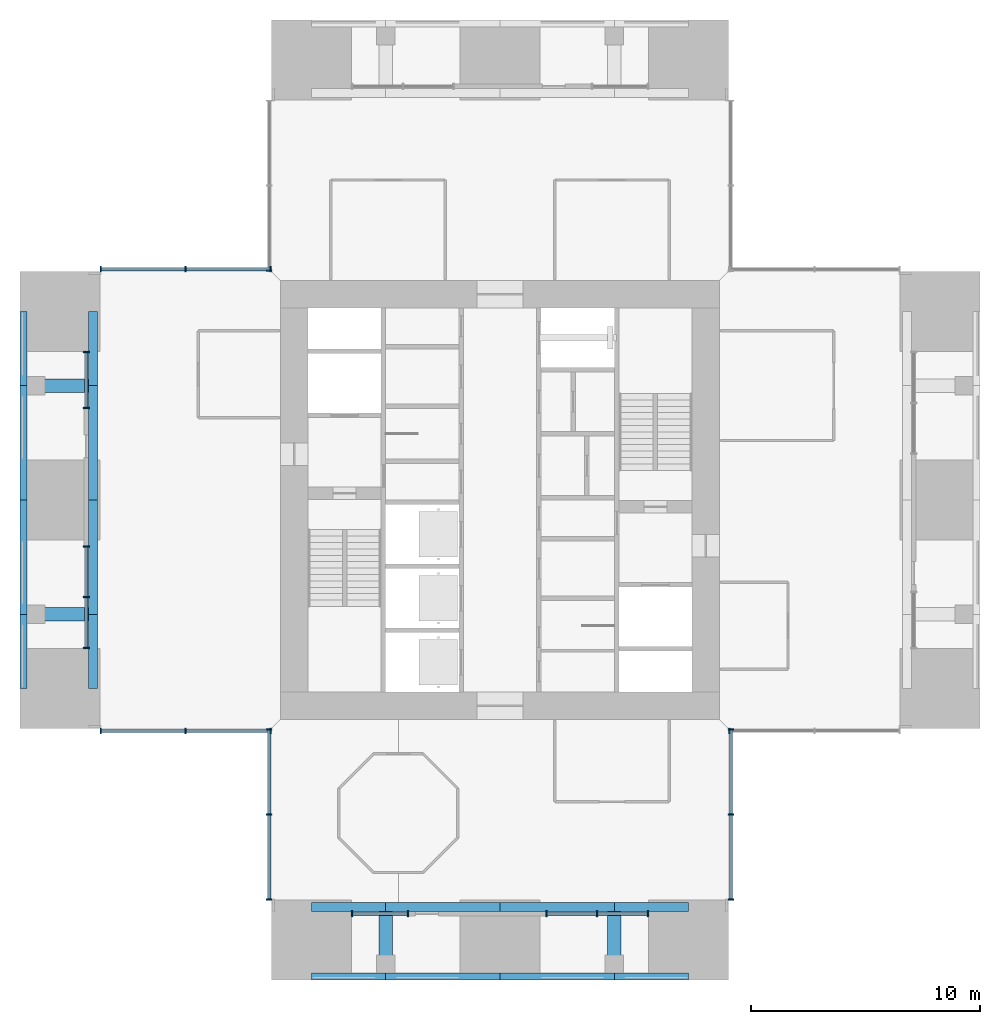
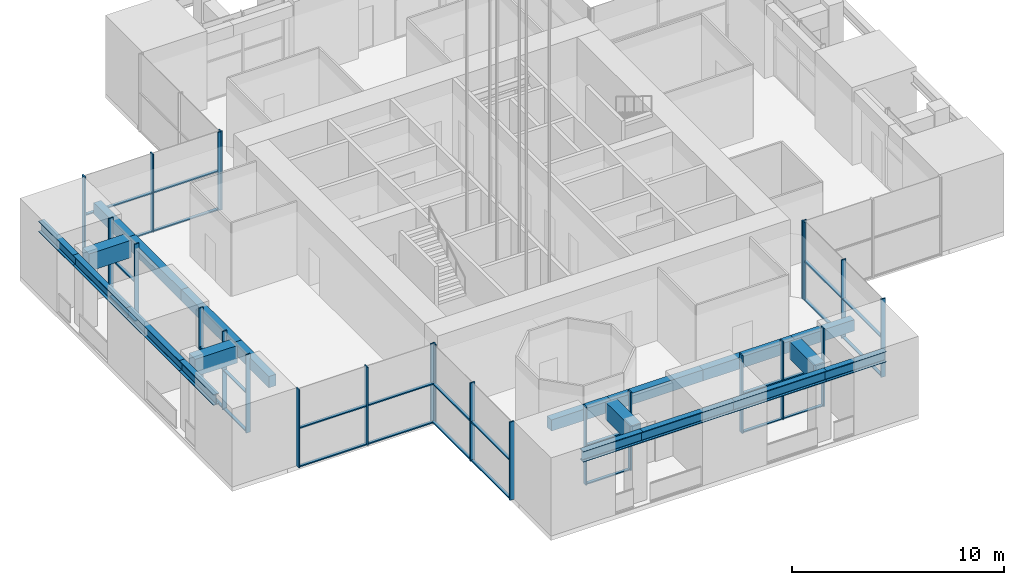
# One storey, part 2 of 17: 52 members, 20 beams, 10 elements without a shape of their own.
"""IFC4 building model written with IfcOpenShell, lengths in metres."""

from ifc_helpers import new_model, si_unit, direction, frame, origin, origin_2d, place, context, subcontext, project, spatial, rectangle, i_section, extrude, material, material_profile, profile_set, type_object, element, aggregate, save


model = new_model("IFC4")

# Units and contexts
model_context = context("Model", 3, precision=1e-05, world=origin(), true_north=direction((0.0, 1.0)))
body_context = subcontext(model_context, "Body", "Model", "MODEL_VIEW")
ifc_project = project(units=[si_unit("LENGTHUNIT", "METRE"), si_unit("AREAUNIT", "SQUARE_METRE"), si_unit("VOLUMEUNIT", "CUBIC_METRE"), si_unit("PLANEANGLEUNIT", "RADIAN"), si_unit("MASSUNIT", "GRAM", prefix="KILO")], contexts=[model_context])

# Site, building, storey
site_placement = place(None, origin())
site = spatial("IfcSite", under=ifc_project, at=site_placement, CompositionType="ELEMENT")
building_placement = place(site_placement, origin())
building = spatial("IfcBuilding", under=site, at=building_placement, Name="Svetlomir Tower", CompositionType="ELEMENT")
storey_placement = place(building_placement, frame((0.0, 0.0, 239.5)))
storey = spatial("IfcBuildingStorey", under=building, at=storey_placement, Name="L57", CompositionType="ELEMENT", Elevation=239.5)

# Curtain wall, members
ifc_material_1 = material(Name="Bronze anodised aluminium curtain wall", Category="aluminium")
curtain_wall_type = type_object("IfcCurtainWallType", Name="CURTAIN WALL CW2 SKY LOBBY", PredefinedType="NOTDEFINED", material=ifc_material_1)
curtain_wall_1_placement = place(storey_placement, origin())
curtain_wall_1 = element("IfcCurtainWall", 1, at=curtain_wall_1_placement, inside=storey, type_object=curtain_wall_type, Name="Curtain wall CW2 L57", PredefinedType="NOTDEFINED")
ifc_material_2 = material(Name="Bronze anodised aluminium", Category="aluminium")
ifc_material_profile_1 = material_profile(ifc_material_2, rectangle(XDim=0.06494140625, YDim=0.25, at=origin_2d()), Name="AL 65x250")
ifc_profile_set_1 = profile_set([ifc_material_profile_1], Name="Bronze anodised aluminium 6063-T6")
member_type_1 = type_object("IfcMemberType", Name="CW2 MULLION 65x250", PredefinedType="MULLION", material=ifc_profile_set_1)
member_1_placement = place(storey_placement, frame((14.532470703125, 2.89990234375, 0.0), z_axis=(0.0, 0.0, 1.0), x_axis=(1.0, 0.0, 0.0)))
member_1 = element("IfcMember", 2, at=member_1_placement, type_object=member_type_1, Name="CW2 mullion 1", PredefinedType="MULLION", context=body_context, shape_type="SweptSolid", body=[
    extrude(rectangle(XDim=0.06494140625, YDim=0.25, at=origin_2d()), origin(), (0.0, 0.0, 1.0), 4.5),
])
member_2_placement = place(storey_placement, frame((16.967529296875, 2.89990234375, 0.0), z_axis=(0.0, 0.0, 1.0), x_axis=(1.0, 0.0, 0.0)))
member_2 = element("IfcMember", 3, at=member_2_placement, type_object=member_type_1, Name="CW2 mullion 2", PredefinedType="MULLION", context=body_context, shape_type="SweptSolid", body=[
    extrude(rectangle(XDim=0.06494140625, YDim=0.25, at=origin_2d()), origin(), (0.0, 0.0, 1.0), 4.5),
])

curtain_wall_2_placement = place(storey_placement, origin())
curtain_wall_2 = element("IfcCurtainWall", 4, at=curtain_wall_2_placement, inside=storey, type_object=curtain_wall_type, Name="Curtain wall CW2 L57", PredefinedType="NOTDEFINED")
member_3_placement = place(storey_placement, frame((23.032470703125, 2.89990234375, 0.0), z_axis=(0.0, 0.0, 1.0), x_axis=(1.0, 0.0, 0.0)))
member_3 = element("IfcMember", 5, at=member_3_placement, type_object=member_type_1, Name="CW2 mullion 1", PredefinedType="MULLION", context=body_context, shape_type="SweptSolid", body=[
    extrude(rectangle(XDim=0.06494140625, YDim=0.25, at=origin_2d()), origin(), (0.0, 0.0, 1.0), 4.5),
])
member_4_placement = place(storey_placement, frame((25.25, 2.89990234375, 0.0), z_axis=(0.0, 0.0, 1.0), x_axis=(1.0, 0.0, 0.0)))
member_4 = element("IfcMember", 6, at=member_4_placement, type_object=member_type_1, Name="CW2 mullion 2", PredefinedType="MULLION", context=body_context, shape_type="SweptSolid", body=[
    extrude(rectangle(XDim=0.06494140625, YDim=0.25, at=origin_2d()), origin(), (0.0, 0.0, 1.0), 4.5),
])
member_5_placement = place(storey_placement, frame((27.467529296875, 2.89990234375, 0.0), z_axis=(0.0, 0.0, 1.0), x_axis=(1.0, 0.0, 0.0)))
member_5 = element("IfcMember", 7, at=member_5_placement, type_object=member_type_1, Name="CW2 mullion 3", PredefinedType="MULLION", context=body_context, shape_type="SweptSolid", body=[
    extrude(rectangle(XDim=0.06494140625, YDim=0.25, at=origin_2d()), origin(), (0.0, 0.0, 1.0), 4.5),
])

curtain_wall_3_placement = place(storey_placement, origin())
curtain_wall_3 = element("IfcCurtainWall", 8, at=curtain_wall_3_placement, inside=storey, type_object=curtain_wall_type, Name="Curtain wall CW2 L57", PredefinedType="NOTDEFINED")
member_6_placement = place(storey_placement, frame((31.10009765625, 3.532470703125, 0.0), z_axis=(0.0, 0.0, 1.0), x_axis=(0.0, 1.0, 0.0)))
member_6 = element("IfcMember", 9, at=member_6_placement, type_object=member_type_1, Name="CW2 mullion 1", PredefinedType="MULLION", context=body_context, shape_type="SweptSolid", body=[
    extrude(rectangle(XDim=0.06494140625, YDim=0.25, at=origin_2d()), origin(), (0.0, 0.0, 1.0), 4.5),
])
member_7_placement = place(storey_placement, frame((31.10009765625, 7.25, 0.0), z_axis=(0.0, 0.0, 1.0), x_axis=(0.0, 1.0, 0.0)))
member_7 = element("IfcMember", 10, at=member_7_placement, type_object=member_type_1, Name="CW2 mullion 2", PredefinedType="MULLION", context=body_context, shape_type="SweptSolid", body=[
    extrude(rectangle(XDim=0.06494140625, YDim=0.25, at=origin_2d()), origin(), (0.0, 0.0, 1.0), 4.5),
])
member_8_placement = place(storey_placement, frame((31.10009765625, 10.967529296875, 0.0), z_axis=(0.0, 0.0, 1.0), x_axis=(0.0, 1.0, 0.0)))
member_8 = element("IfcMember", 11, at=member_8_placement, type_object=member_type_1, Name="CW2 mullion 3", PredefinedType="MULLION", context=body_context, shape_type="SweptSolid", body=[
    extrude(rectangle(XDim=0.06494140625, YDim=0.25, at=origin_2d()), origin(), (0.0, 0.0, 1.0), 4.5),
])

# Curtain wall, member
curtain_wall_4_placement = place(storey_placement, origin())
curtain_wall_4 = element("IfcCurtainWall", 12, at=curtain_wall_4_placement, inside=storey, type_object=curtain_wall_type, Name="Curtain wall CW2 L57", PredefinedType="NOTDEFINED")
member_9_placement = place(storey_placement, frame((31.032470703125, 10.89990234375, 0.0), z_axis=(0.0, 0.0, 1.0), x_axis=(1.0, 0.0, 0.0)))
member_9 = element("IfcMember", 13, at=member_9_placement, type_object=member_type_1, Name="CW2 mullion 1", PredefinedType="MULLION", context=body_context, shape_type="SweptSolid", body=[
    extrude(rectangle(XDim=0.06494140625, YDim=0.25, at=origin_2d()), origin(), (0.0, 0.0, 1.0), 4.5),
])
aggregate(curtain_wall_4, [member_9])

curtain_wall_5_placement = place(storey_placement, origin())
curtain_wall_5 = element("IfcCurtainWall", 14, at=curtain_wall_5_placement, inside=storey, type_object=curtain_wall_type, Name="Curtain wall CW2 L57", PredefinedType="NOTDEFINED")
member_10_placement = place(storey_placement, frame((10.89990234375, 31.032470703125, 0.0), z_axis=(0.0, 0.0, 1.0), x_axis=(0.0, -1.0, 0.0)))
member_10 = element("IfcMember", 15, at=member_10_placement, type_object=member_type_1, Name="CW2 mullion 3", PredefinedType="MULLION", context=body_context, shape_type="SweptSolid", body=[
    extrude(rectangle(XDim=0.06494140625, YDim=0.25, at=origin_2d()), origin(), (0.0, 0.0, 1.0), 4.5),
])
aggregate(curtain_wall_5, [member_10])

# Curtain wall, members
curtain_wall_6_placement = place(storey_placement, origin())
curtain_wall_6 = element("IfcCurtainWall", 16, at=curtain_wall_6_placement, inside=storey, type_object=curtain_wall_type, Name="Curtain wall CW2 L57", PredefinedType="NOTDEFINED")
member_11_placement = place(storey_placement, frame((10.967529296875, 31.10009765625, 0.0), z_axis=(0.0, 0.0, 1.0), x_axis=(-1.0, 0.0, 0.0)))
member_11 = element("IfcMember", 17, at=member_11_placement, type_object=member_type_1, Name="CW2 mullion 1", PredefinedType="MULLION", context=body_context, shape_type="SweptSolid", body=[
    extrude(rectangle(XDim=0.06494140625, YDim=0.25, at=origin_2d()), origin(), (0.0, 0.0, 1.0), 4.5),
])
member_12_placement = place(storey_placement, frame((7.25, 31.10009765625, 0.0), z_axis=(0.0, 0.0, 1.0), x_axis=(-1.0, 0.0, 0.0)))
member_12 = element("IfcMember", 18, at=member_12_placement, type_object=member_type_1, Name="CW2 mullion 2", PredefinedType="MULLION", context=body_context, shape_type="SweptSolid", body=[
    extrude(rectangle(XDim=0.06494140625, YDim=0.25, at=origin_2d()), origin(), (0.0, 0.0, 1.0), 4.5),
])
member_13_placement = place(storey_placement, frame((3.532470703125, 31.10009765625, 0.0), z_axis=(0.0, 0.0, 1.0), x_axis=(-1.0, 0.0, 0.0)))
member_13 = element("IfcMember", 19, at=member_13_placement, type_object=member_type_1, Name="CW2 mullion 3", PredefinedType="MULLION", context=body_context, shape_type="SweptSolid", body=[
    extrude(rectangle(XDim=0.06494140625, YDim=0.25, at=origin_2d()), origin(), (0.0, 0.0, 1.0), 4.5),
])

curtain_wall_7_placement = place(storey_placement, origin())
curtain_wall_7 = element("IfcCurtainWall", 20, at=curtain_wall_7_placement, inside=storey, type_object=curtain_wall_type, Name="Curtain wall CW2 L57", PredefinedType="NOTDEFINED")
member_14_placement = place(storey_placement, frame((2.89990234375, 27.467529296875, 0.0), z_axis=(0.0, 0.0, 1.0), x_axis=(0.0, -1.0, 0.0)))
member_14 = element("IfcMember", 21, at=member_14_placement, type_object=member_type_1, Name="CW2 mullion 1", PredefinedType="MULLION", context=body_context, shape_type="SweptSolid", body=[
    extrude(rectangle(XDim=0.06494140625, YDim=0.25, at=origin_2d()), origin(), (0.0, 0.0, 1.0), 4.5),
])
member_15_placement = place(storey_placement, frame((2.89990234375, 25.032470703125, 0.0), z_axis=(0.0, 0.0, 1.0), x_axis=(0.0, -1.0, 0.0)))
member_15 = element("IfcMember", 22, at=member_15_placement, type_object=member_type_1, Name="CW2 mullion 2", PredefinedType="MULLION", context=body_context, shape_type="SweptSolid", body=[
    extrude(rectangle(XDim=0.06494140625, YDim=0.25, at=origin_2d()), origin(), (0.0, 0.0, 1.0), 4.5),
])

curtain_wall_8_placement = place(storey_placement, origin())
curtain_wall_8 = element("IfcCurtainWall", 23, at=curtain_wall_8_placement, inside=storey, type_object=curtain_wall_type, Name="Curtain wall CW2 L57", PredefinedType="NOTDEFINED")
member_16_placement = place(storey_placement, frame((2.89990234375, 18.967529296875, 0.0), z_axis=(0.0, 0.0, 1.0), x_axis=(0.0, -1.0, 0.0)))
member_16 = element("IfcMember", 24, at=member_16_placement, type_object=member_type_1, Name="CW2 mullion 1", PredefinedType="MULLION", context=body_context, shape_type="SweptSolid", body=[
    extrude(rectangle(XDim=0.06494140625, YDim=0.25, at=origin_2d()), origin(), (0.0, 0.0, 1.0), 4.5),
])
member_17_placement = place(storey_placement, frame((2.89990234375, 16.75, 0.0), z_axis=(0.0, 0.0, 1.0), x_axis=(0.0, -1.0, 0.0)))
member_17 = element("IfcMember", 25, at=member_17_placement, type_object=member_type_1, Name="CW2 mullion 2", PredefinedType="MULLION", context=body_context, shape_type="SweptSolid", body=[
    extrude(rectangle(XDim=0.06494140625, YDim=0.25, at=origin_2d()), origin(), (0.0, 0.0, 1.0), 4.5),
])
member_18_placement = place(storey_placement, frame((2.89990234375, 14.532470703125, 0.0), z_axis=(0.0, 0.0, 1.0), x_axis=(0.0, -1.0, 0.0)))
member_18 = element("IfcMember", 26, at=member_18_placement, type_object=member_type_1, Name="CW2 mullion 3", PredefinedType="MULLION", context=body_context, shape_type="SweptSolid", body=[
    extrude(rectangle(XDim=0.06494140625, YDim=0.25, at=origin_2d()), origin(), (0.0, 0.0, 1.0), 4.5),
])

curtain_wall_9_placement = place(storey_placement, origin())
curtain_wall_9 = element("IfcCurtainWall", 27, at=curtain_wall_9_placement, inside=storey, type_object=curtain_wall_type, Name="Curtain wall CW2 L57", PredefinedType="NOTDEFINED")
member_19_placement = place(storey_placement, frame((3.532470703125, 10.89990234375, 0.0), z_axis=(0.0, 0.0, 1.0), x_axis=(1.0, 0.0, 0.0)))
member_19 = element("IfcMember", 28, at=member_19_placement, type_object=member_type_1, Name="CW2 mullion 1", PredefinedType="MULLION", context=body_context, shape_type="SweptSolid", body=[
    extrude(rectangle(XDim=0.06494140625, YDim=0.25, at=origin_2d()), origin(), (0.0, 0.0, 1.0), 4.5),
])
member_20_placement = place(storey_placement, frame((7.25, 10.89990234375, 0.0), z_axis=(0.0, 0.0, 1.0), x_axis=(1.0, 0.0, 0.0)))
member_20 = element("IfcMember", 29, at=member_20_placement, type_object=member_type_1, Name="CW2 mullion 2", PredefinedType="MULLION", context=body_context, shape_type="SweptSolid", body=[
    extrude(rectangle(XDim=0.06494140625, YDim=0.25, at=origin_2d()), origin(), (0.0, 0.0, 1.0), 4.5),
])
member_21_placement = place(storey_placement, frame((10.967529296875, 10.89990234375, 0.0), z_axis=(0.0, 0.0, 1.0), x_axis=(1.0, 0.0, 0.0)))
member_21 = element("IfcMember", 30, at=member_21_placement, type_object=member_type_1, Name="CW2 mullion 3", PredefinedType="MULLION", context=body_context, shape_type="SweptSolid", body=[
    extrude(rectangle(XDim=0.06494140625, YDim=0.25, at=origin_2d()), origin(), (0.0, 0.0, 1.0), 4.5),
])

curtain_wall_10_placement = place(storey_placement, origin())
curtain_wall_10 = element("IfcCurtainWall", 31, at=curtain_wall_10_placement, inside=storey, type_object=curtain_wall_type, Name="Curtain wall CW2 L57", PredefinedType="NOTDEFINED")
member_22_placement = place(storey_placement, frame((10.89990234375, 10.967529296875, 0.0), z_axis=(0.0, 0.0, 1.0), x_axis=(0.0, -1.0, 0.0)))
member_22 = element("IfcMember", 32, at=member_22_placement, type_object=member_type_1, Name="CW2 mullion 1", PredefinedType="MULLION", context=body_context, shape_type="SweptSolid", body=[
    extrude(rectangle(XDim=0.06494140625, YDim=0.25, at=origin_2d()), origin(), (0.0, 0.0, 1.0), 4.5),
])
member_23_placement = place(storey_placement, frame((10.89990234375, 7.25, 0.0), z_axis=(0.0, 0.0, 1.0), x_axis=(0.0, -1.0, 0.0)))
member_23 = element("IfcMember", 33, at=member_23_placement, type_object=member_type_1, Name="CW2 mullion 2", PredefinedType="MULLION", context=body_context, shape_type="SweptSolid", body=[
    extrude(rectangle(XDim=0.06494140625, YDim=0.25, at=origin_2d()), origin(), (0.0, 0.0, 1.0), 4.5),
])
member_24_placement = place(storey_placement, frame((10.89990234375, 3.532470703125, 0.0), z_axis=(0.0, 0.0, 1.0), x_axis=(0.0, -1.0, 0.0)))
member_24 = element("IfcMember", 34, at=member_24_placement, type_object=member_type_1, Name="CW2 mullion 3", PredefinedType="MULLION", context=body_context, shape_type="SweptSolid", body=[
    extrude(rectangle(XDim=0.06494140625, YDim=0.25, at=origin_2d()), origin(), (0.0, 0.0, 1.0), 4.5),
])

# Member
ifc_material_3 = material(Name="Bronze anodised aluminium", Category="aluminium")
ifc_material_profile_2 = material_profile(ifc_material_3, rectangle(XDim=0.159912109375, YDim=0.06494140625, at=origin_2d()), Name="AL 160x65")
ifc_profile_set_2 = profile_set([ifc_material_profile_2], Name="Bronze anodised aluminium 6063-T6")
member_type_2 = type_object("IfcMemberType", Name="CW2 TRANSOM 65x160", PredefinedType="USERDEFINED", material=ifc_profile_set_2)
member_25_placement = place(storey_placement, frame((14.56494140625, 2.89990234375, 0.032470703125), z_axis=(1.0, 0.0, 0.0), x_axis=(0.0, 1.0, 0.0)))
member_25 = element("IfcMember", 35, at=member_25_placement, type_object=member_type_2, Name="CW2 transom 1.1", ObjectType="TRANSOM", PredefinedType="USERDEFINED", context=body_context, shape_type="SweptSolid", body=[
    extrude(rectangle(XDim=0.159912109375, YDim=0.06494140625, at=origin_2d()), origin(), (0.0, 0.0, 1.0), 2.3701171875),
])

member_26_placement = place(storey_placement, frame((14.56494140625, 2.89990234375, 2.25), z_axis=(1.0, 0.0, 0.0), x_axis=(0.0, 1.0, 0.0)))
member_26 = element("IfcMember", 36, at=member_26_placement, type_object=member_type_2, Name="CW2 transom 1.2", ObjectType="TRANSOM", PredefinedType="USERDEFINED", context=body_context, shape_type="SweptSolid", body=[
    extrude(rectangle(XDim=0.159912109375, YDim=0.06494140625, at=origin_2d()), origin(), (0.0, 0.0, 1.0), 2.3701171875),
])

aggregate(curtain_wall_1, [member_1, member_2, member_25, member_26])

member_27_placement = place(storey_placement, frame((23.06494140625, 2.89990234375, 0.032470703125), z_axis=(1.0, 0.0, 0.0), x_axis=(0.0, 1.0, 0.0)))
member_27 = element("IfcMember", 37, at=member_27_placement, type_object=member_type_2, Name="CW2 transom 1.1", ObjectType="TRANSOM", PredefinedType="USERDEFINED", context=body_context, shape_type="SweptSolid", body=[
    extrude(rectangle(XDim=0.159912109375, YDim=0.06494140625, at=origin_2d()), origin(), (0.0, 0.0, 1.0), 2.152587890625),
])

member_28_placement = place(storey_placement, frame((23.06494140625, 2.89990234375, 2.25), z_axis=(1.0, 0.0, 0.0), x_axis=(0.0, 1.0, 0.0)))
member_28 = element("IfcMember", 38, at=member_28_placement, type_object=member_type_2, Name="CW2 transom 1.2", ObjectType="TRANSOM", PredefinedType="USERDEFINED", context=body_context, shape_type="SweptSolid", body=[
    extrude(rectangle(XDim=0.159912109375, YDim=0.06494140625, at=origin_2d()), origin(), (0.0, 0.0, 1.0), 2.152587890625),
])

member_29_placement = place(storey_placement, frame((25.282470703125, 2.89990234375, 0.032470703125), z_axis=(1.0, 0.0, 0.0), x_axis=(0.0, 1.0, 0.0)))
member_29 = element("IfcMember", 39, at=member_29_placement, type_object=member_type_2, Name="CW2 transom 2.1", ObjectType="TRANSOM", PredefinedType="USERDEFINED", context=body_context, shape_type="SweptSolid", body=[
    extrude(rectangle(XDim=0.159912109375, YDim=0.06494140625, at=origin_2d()), origin(), (0.0, 0.0, 1.0), 2.152587890625),
])

member_30_placement = place(storey_placement, frame((25.282470703125, 2.89990234375, 2.25), z_axis=(1.0, 0.0, 0.0), x_axis=(0.0, 1.0, 0.0)))
member_30 = element("IfcMember", 40, at=member_30_placement, type_object=member_type_2, Name="CW2 transom 2.2", ObjectType="TRANSOM", PredefinedType="USERDEFINED", context=body_context, shape_type="SweptSolid", body=[
    extrude(rectangle(XDim=0.159912109375, YDim=0.06494140625, at=origin_2d()), origin(), (0.0, 0.0, 1.0), 2.152587890625),
])

aggregate(curtain_wall_2, [member_3, member_4, member_5, member_27, member_28, member_29, member_30])

member_31_placement = place(storey_placement, frame((31.10009765625, 3.56494140625, 0.032470703125), z_axis=(0.0, 1.0, 0.0), x_axis=(-1.0, 0.0, 0.0)))
member_31 = element("IfcMember", 41, at=member_31_placement, type_object=member_type_2, Name="CW2 transom 1.1", ObjectType="TRANSOM", PredefinedType="USERDEFINED", context=body_context, shape_type="SweptSolid", body=[
    extrude(rectangle(XDim=0.159912109375, YDim=0.06494140625, at=origin_2d()), origin(), (0.0, 0.0, 1.0), 3.652587890625),
])

member_32_placement = place(storey_placement, frame((31.10009765625, 3.56494140625, 2.25), z_axis=(0.0, 1.0, 0.0), x_axis=(-1.0, 0.0, 0.0)))
member_32 = element("IfcMember", 42, at=member_32_placement, type_object=member_type_2, Name="CW2 transom 1.2", ObjectType="TRANSOM", PredefinedType="USERDEFINED", context=body_context, shape_type="SweptSolid", body=[
    extrude(rectangle(XDim=0.159912109375, YDim=0.06494140625, at=origin_2d()), origin(), (0.0, 0.0, 1.0), 3.652587890625),
])

member_33_placement = place(storey_placement, frame((31.10009765625, 7.282470703125, 0.032470703125), z_axis=(0.0, 1.0, 0.0), x_axis=(-1.0, 0.0, 0.0)))
member_33 = element("IfcMember", 43, at=member_33_placement, type_object=member_type_2, Name="CW2 transom 2.1", ObjectType="TRANSOM", PredefinedType="USERDEFINED", context=body_context, shape_type="SweptSolid", body=[
    extrude(rectangle(XDim=0.159912109375, YDim=0.06494140625, at=origin_2d()), origin(), (0.0, 0.0, 1.0), 3.652587890625),
])

member_34_placement = place(storey_placement, frame((31.10009765625, 7.282470703125, 2.25), z_axis=(0.0, 1.0, 0.0), x_axis=(-1.0, 0.0, 0.0)))
member_34 = element("IfcMember", 44, at=member_34_placement, type_object=member_type_2, Name="CW2 transom 2.2", ObjectType="TRANSOM", PredefinedType="USERDEFINED", context=body_context, shape_type="SweptSolid", body=[
    extrude(rectangle(XDim=0.159912109375, YDim=0.06494140625, at=origin_2d()), origin(), (0.0, 0.0, 1.0), 3.652587890625),
])

aggregate(curtain_wall_3, [member_6, member_7, member_8, member_31, member_32, member_33, member_34])

member_35_placement = place(storey_placement, frame((10.93505859375, 31.10009765625, 0.032470703125), z_axis=(-1.0, 0.0, 0.0), x_axis=(0.0, -1.0, 0.0)))
member_35 = element("IfcMember", 45, at=member_35_placement, type_object=member_type_2, Name="CW2 transom 1.1", ObjectType="TRANSOM", PredefinedType="USERDEFINED", context=body_context, shape_type="SweptSolid", body=[
    extrude(rectangle(XDim=0.159912109375, YDim=0.06494140625, at=origin_2d()), origin(), (0.0, 0.0, 1.0), 3.652587890625),
])

member_36_placement = place(storey_placement, frame((10.93505859375, 31.10009765625, 2.25), z_axis=(-1.0, 0.0, 0.0), x_axis=(0.0, -1.0, 0.0)))
member_36 = element("IfcMember", 46, at=member_36_placement, type_object=member_type_2, Name="CW2 transom 1.2", ObjectType="TRANSOM", PredefinedType="USERDEFINED", context=body_context, shape_type="SweptSolid", body=[
    extrude(rectangle(XDim=0.159912109375, YDim=0.06494140625, at=origin_2d()), origin(), (0.0, 0.0, 1.0), 3.652587890625),
])

member_37_placement = place(storey_placement, frame((7.217529296875, 31.10009765625, 0.032470703125), z_axis=(-1.0, 0.0, 0.0), x_axis=(0.0, -1.0, 0.0)))
member_37 = element("IfcMember", 47, at=member_37_placement, type_object=member_type_2, Name="CW2 transom 2.1", ObjectType="TRANSOM", PredefinedType="USERDEFINED", context=body_context, shape_type="SweptSolid", body=[
    extrude(rectangle(XDim=0.159912109375, YDim=0.06494140625, at=origin_2d()), origin(), (0.0, 0.0, 1.0), 3.652587890625),
])

member_38_placement = place(storey_placement, frame((7.217529296875, 31.10009765625, 2.25), z_axis=(-1.0, 0.0, 0.0), x_axis=(0.0, -1.0, 0.0)))
member_38 = element("IfcMember", 48, at=member_38_placement, type_object=member_type_2, Name="CW2 transom 2.2", ObjectType="TRANSOM", PredefinedType="USERDEFINED", context=body_context, shape_type="SweptSolid", body=[
    extrude(rectangle(XDim=0.159912109375, YDim=0.06494140625, at=origin_2d()), origin(), (0.0, 0.0, 1.0), 3.652587890625),
])

aggregate(curtain_wall_6, [member_11, member_12, member_13, member_35, member_36, member_37, member_38])

member_39_placement = place(storey_placement, frame((2.89990234375, 27.43505859375, 0.032470703125), z_axis=(0.0, -1.0, 0.0), x_axis=(1.0, 0.0, 0.0)))
member_39 = element("IfcMember", 49, at=member_39_placement, type_object=member_type_2, Name="CW2 transom 1.1", ObjectType="TRANSOM", PredefinedType="USERDEFINED", context=body_context, shape_type="SweptSolid", body=[
    extrude(rectangle(XDim=0.159912109375, YDim=0.06494140625, at=origin_2d()), origin(), (0.0, 0.0, 1.0), 2.3701171875),
])

member_40_placement = place(storey_placement, frame((2.89990234375, 27.43505859375, 2.25), z_axis=(0.0, -1.0, 0.0), x_axis=(1.0, 0.0, 0.0)))
member_40 = element("IfcMember", 50, at=member_40_placement, type_object=member_type_2, Name="CW2 transom 1.2", ObjectType="TRANSOM", PredefinedType="USERDEFINED", context=body_context, shape_type="SweptSolid", body=[
    extrude(rectangle(XDim=0.159912109375, YDim=0.06494140625, at=origin_2d()), origin(), (0.0, 0.0, 1.0), 2.3701171875),
])

aggregate(curtain_wall_7, [member_14, member_15, member_39, member_40])

member_41_placement = place(storey_placement, frame((2.89990234375, 18.93505859375, 0.032470703125), z_axis=(0.0, -1.0, 0.0), x_axis=(1.0, 0.0, 0.0)))
member_41 = element("IfcMember", 51, at=member_41_placement, type_object=member_type_2, Name="CW2 transom 1.1", ObjectType="TRANSOM", PredefinedType="USERDEFINED", context=body_context, shape_type="SweptSolid", body=[
    extrude(rectangle(XDim=0.159912109375, YDim=0.06494140625, at=origin_2d()), origin(), (0.0, 0.0, 1.0), 2.152587890625),
])

member_42_placement = place(storey_placement, frame((2.89990234375, 18.93505859375, 2.25), z_axis=(0.0, -1.0, 0.0), x_axis=(1.0, 0.0, 0.0)))
member_42 = element("IfcMember", 52, at=member_42_placement, type_object=member_type_2, Name="CW2 transom 1.2", ObjectType="TRANSOM", PredefinedType="USERDEFINED", context=body_context, shape_type="SweptSolid", body=[
    extrude(rectangle(XDim=0.159912109375, YDim=0.06494140625, at=origin_2d()), origin(), (0.0, 0.0, 1.0), 2.152587890625),
])

member_43_placement = place(storey_placement, frame((2.89990234375, 16.717529296875, 0.032470703125), z_axis=(0.0, -1.0, 0.0), x_axis=(1.0, 0.0, 0.0)))
member_43 = element("IfcMember", 53, at=member_43_placement, type_object=member_type_2, Name="CW2 transom 2.1", ObjectType="TRANSOM", PredefinedType="USERDEFINED", context=body_context, shape_type="SweptSolid", body=[
    extrude(rectangle(XDim=0.159912109375, YDim=0.06494140625, at=origin_2d()), origin(), (0.0, 0.0, 1.0), 2.152587890625),
])

member_44_placement = place(storey_placement, frame((2.89990234375, 16.717529296875, 2.25), z_axis=(0.0, -1.0, 0.0), x_axis=(1.0, 0.0, 0.0)))
member_44 = element("IfcMember", 54, at=member_44_placement, type_object=member_type_2, Name="CW2 transom 2.2", ObjectType="TRANSOM", PredefinedType="USERDEFINED", context=body_context, shape_type="SweptSolid", body=[
    extrude(rectangle(XDim=0.159912109375, YDim=0.06494140625, at=origin_2d()), origin(), (0.0, 0.0, 1.0), 2.152587890625),
])

aggregate(curtain_wall_8, [member_16, member_17, member_18, member_41, member_42, member_43, member_44])

member_45_placement = place(storey_placement, frame((3.56494140625, 10.89990234375, 0.032470703125), z_axis=(1.0, 0.0, 0.0), x_axis=(0.0, 1.0, 0.0)))
member_45 = element("IfcMember", 55, at=member_45_placement, type_object=member_type_2, Name="CW2 transom 1.1", ObjectType="TRANSOM", PredefinedType="USERDEFINED", context=body_context, shape_type="SweptSolid", body=[
    extrude(rectangle(XDim=0.159912109375, YDim=0.06494140625, at=origin_2d()), origin(), (0.0, 0.0, 1.0), 3.652587890625),
])

member_46_placement = place(storey_placement, frame((3.56494140625, 10.89990234375, 2.25), z_axis=(1.0, 0.0, 0.0), x_axis=(0.0, 1.0, 0.0)))
member_46 = element("IfcMember", 56, at=member_46_placement, type_object=member_type_2, Name="CW2 transom 1.2", ObjectType="TRANSOM", PredefinedType="USERDEFINED", context=body_context, shape_type="SweptSolid", body=[
    extrude(rectangle(XDim=0.159912109375, YDim=0.06494140625, at=origin_2d()), origin(), (0.0, 0.0, 1.0), 3.652587890625),
])

member_47_placement = place(storey_placement, frame((7.282470703125, 10.89990234375, 0.032470703125), z_axis=(1.0, 0.0, 0.0), x_axis=(0.0, 1.0, 0.0)))
member_47 = element("IfcMember", 57, at=member_47_placement, type_object=member_type_2, Name="CW2 transom 2.1", ObjectType="TRANSOM", PredefinedType="USERDEFINED", context=body_context, shape_type="SweptSolid", body=[
    extrude(rectangle(XDim=0.159912109375, YDim=0.06494140625, at=origin_2d()), origin(), (0.0, 0.0, 1.0), 3.652587890625),
])

member_48_placement = place(storey_placement, frame((7.282470703125, 10.89990234375, 2.25), z_axis=(1.0, 0.0, 0.0), x_axis=(0.0, 1.0, 0.0)))
member_48 = element("IfcMember", 58, at=member_48_placement, type_object=member_type_2, Name="CW2 transom 2.2", ObjectType="TRANSOM", PredefinedType="USERDEFINED", context=body_context, shape_type="SweptSolid", body=[
    extrude(rectangle(XDim=0.159912109375, YDim=0.06494140625, at=origin_2d()), origin(), (0.0, 0.0, 1.0), 3.652587890625),
])

aggregate(curtain_wall_9, [member_19, member_20, member_21, member_45, member_46, member_47, member_48])

member_49_placement = place(storey_placement, frame((10.89990234375, 10.93505859375, 0.032470703125), z_axis=(0.0, -1.0, 0.0), x_axis=(1.0, 0.0, 0.0)))
member_49 = element("IfcMember", 59, at=member_49_placement, type_object=member_type_2, Name="CW2 transom 1.1", ObjectType="TRANSOM", PredefinedType="USERDEFINED", context=body_context, shape_type="SweptSolid", body=[
    extrude(rectangle(XDim=0.159912109375, YDim=0.06494140625, at=origin_2d()), origin(), (0.0, 0.0, 1.0), 3.652587890625),
])

member_50_placement = place(storey_placement, frame((10.89990234375, 10.93505859375, 2.25), z_axis=(0.0, -1.0, 0.0), x_axis=(1.0, 0.0, 0.0)))
member_50 = element("IfcMember", 60, at=member_50_placement, type_object=member_type_2, Name="CW2 transom 1.2", ObjectType="TRANSOM", PredefinedType="USERDEFINED", context=body_context, shape_type="SweptSolid", body=[
    extrude(rectangle(XDim=0.159912109375, YDim=0.06494140625, at=origin_2d()), origin(), (0.0, 0.0, 1.0), 3.652587890625),
])

member_51_placement = place(storey_placement, frame((10.89990234375, 7.217529296875, 0.032470703125), z_axis=(0.0, -1.0, 0.0), x_axis=(1.0, 0.0, 0.0)))
member_51 = element("IfcMember", 61, at=member_51_placement, type_object=member_type_2, Name="CW2 transom 2.1", ObjectType="TRANSOM", PredefinedType="USERDEFINED", context=body_context, shape_type="SweptSolid", body=[
    extrude(rectangle(XDim=0.159912109375, YDim=0.06494140625, at=origin_2d()), origin(), (0.0, 0.0, 1.0), 3.652587890625),
])

member_52_placement = place(storey_placement, frame((10.89990234375, 7.217529296875, 2.25), z_axis=(0.0, -1.0, 0.0), x_axis=(1.0, 0.0, 0.0)))
member_52 = element("IfcMember", 62, at=member_52_placement, type_object=member_type_2, Name="CW2 transom 2.2", ObjectType="TRANSOM", PredefinedType="USERDEFINED", context=body_context, shape_type="SweptSolid", body=[
    extrude(rectangle(XDim=0.159912109375, YDim=0.06494140625, at=origin_2d()), origin(), (0.0, 0.0, 1.0), 3.652587890625),
])

aggregate(curtain_wall_10, [member_22, member_23, member_24, member_49, member_50, member_51, member_52])

# Beams
ifc_material_4 = material(Name="Steel S355", Category="steel")
ifc_material_profile_3 = material_profile(ifc_material_4, i_section(OverallWidth=0.304931640625, OverallDepth=0.6201171875, WebThickness=0.02099609375, FlangeThickness=0.0400390625, FilletRadius=0.027099609375, at=origin_2d()), Name="HEM 600")
ifc_profile_set_3 = profile_set([ifc_material_profile_3], Name="Steel S355")
beam_type_1 = type_object("IfcBeamType", Name="EDGE BEAM HEM 600", PredefinedType="SPANDREL", material=ifc_profile_set_3)
for number, where, z_axis, x_axis, name in (
    (63, (12.75, 0.152587890625, 3.93994140625), (1.0, 0.0, 0.0), (0.0, 1.0, 0.0), "Edge beam 11/0 to 16/0 under L58"),
    (64, (0.152587890625, 12.75, 3.93994140625), (0.0, 1.0, 0.0), (-1.0, 0.0, 0.0), "Edge beam 0/11 to 0/16 under L58"),
):
    element("IfcBeam", number, at=place(storey_placement, frame(where, z_axis=z_axis, x_axis=x_axis)), inside=storey, type_object=beam_type_1, Name=name, PredefinedType="SPANDREL", context=body_context, shape_type="SweptSolid", body=[
        extrude(i_section(OverallWidth=0.304931640625, OverallDepth=0.6201171875, WebThickness=0.02099609375, FlangeThickness=0.0400390625, FilletRadius=0.027099609375, at=origin_2d()), origin(), (0.0, 0.0, 1.0), 3.25),
    ])
for number, where, z_axis, x_axis, name in (
    (65, (16.0, 0.152587890625, 3.93994140625), (1.0, 0.0, 0.0), (0.0, 1.0, 0.0), "Edge beam 16/0 to 21/0 under L58"),
    (66, (0.152587890625, 16.0, 3.93994140625), (0.0, 1.0, 0.0), (-1.0, 0.0, 0.0), "Edge beam 0/16 to 0/21 under L58"),
    (67, (21.0, 0.152587890625, 3.93994140625), (1.0, 0.0, 0.0), (0.0, 1.0, 0.0), "Edge beam 21/0 to 26/0 under L58"),
    (68, (0.152587890625, 21.0, 3.93994140625), (0.0, 1.0, 0.0), (-1.0, 0.0, 0.0), "Edge beam 0/21 to 0/26 under L58"),
):
    element("IfcBeam", number, at=place(storey_placement, frame(where, z_axis=z_axis, x_axis=x_axis)), inside=storey, type_object=beam_type_1, Name=name, PredefinedType="SPANDREL", context=body_context, shape_type="SweptSolid", body=[
        extrude(i_section(OverallWidth=0.304931640625, OverallDepth=0.6201171875, WebThickness=0.02099609375, FlangeThickness=0.0400390625, FilletRadius=0.027099609375, at=origin_2d()), origin(), (0.0, 0.0, 1.0), 5.0),
    ])
for number, where, z_axis, x_axis, name in (
    (69, (26.0, 0.152587890625, 3.93994140625), (1.0, 0.0, 0.0), (0.0, 1.0, 0.0), "Edge beam 26/0 to 31/0 under L58"),
    (70, (0.152587890625, 26.0, 3.93994140625), (0.0, 1.0, 0.0), (-1.0, 0.0, 0.0), "Edge beam 0/26 to 0/31 under L58"),
):
    element("IfcBeam", number, at=place(storey_placement, frame(where, z_axis=z_axis, x_axis=x_axis)), inside=storey, type_object=beam_type_1, Name=name, PredefinedType="SPANDREL", context=body_context, shape_type="SweptSolid", body=[
        extrude(i_section(OverallWidth=0.304931640625, OverallDepth=0.6201171875, WebThickness=0.02099609375, FlangeThickness=0.0400390625, FilletRadius=0.027099609375, at=origin_2d()), origin(), (0.0, 0.0, 1.0), 3.25),
    ])
ifc_material_5 = material(Name="Concrete C60/75", Category="concrete")
ifc_material_profile_4 = material_profile(ifc_material_5, rectangle(XDim=0.39990234375, YDim=0.64990234375, at=origin_2d()), Name="RC 400x650")
ifc_profile_set_4 = profile_set([ifc_material_profile_4], Name="Concrete C60/75")
beam_type_2 = type_object("IfcBeamType", Name="FACADE EDGE BEAM RC 400x650", PredefinedType="BEAM", material=ifc_profile_set_4)
beam_1_placement = place(storey_placement, frame((12.75, 3.199951171875, 3.925048828125), z_axis=(1.0, 0.0, 0.0), x_axis=(0.0, 1.0, 0.0)))
element("IfcBeam", 71, at=beam_1_placement, inside=storey, type_object=beam_type_2, Name="Facade edge beam S 11 to 16 under L58", PredefinedType="BEAM", context=body_context, shape_type="SweptSolid", body=[
    extrude(rectangle(XDim=0.39990234375, YDim=0.64990234375, at=origin_2d()), origin(), (0.0, 0.0, 1.0), 3.25),
])
for number, where, z_axis, x_axis, name in (
    (72, (16.0, 3.199951171875, 3.925048828125), (1.0, 0.0, 0.0), (0.0, 1.0, 0.0), "Facade edge beam S 16 to 21 under L58"),
    (73, (21.0, 3.199951171875, 3.925048828125), (1.0, 0.0, 0.0), (0.0, 1.0, 0.0), "Facade edge beam S 21 to 26 under L58"),
):
    element("IfcBeam", number, at=place(storey_placement, frame(where, z_axis=z_axis, x_axis=x_axis)), inside=storey, type_object=beam_type_2, Name=name, PredefinedType="BEAM", context=body_context, shape_type="SweptSolid", body=[
        extrude(rectangle(XDim=0.39990234375, YDim=0.64990234375, at=origin_2d()), origin(), (0.0, 0.0, 1.0), 5.0),
    ])
for number, where, z_axis, x_axis, name in (
    (74, (26.0, 3.199951171875, 3.925048828125), (1.0, 0.0, 0.0), (0.0, 1.0, 0.0), "Facade edge beam S 26 to 31 under L58"),
    (75, (3.199951171875, 12.75, 3.925048828125), (0.0, 1.0, 0.0), (-1.0, 0.0, 0.0), "Facade edge beam W 11 to 16 under L58"),
):
    element("IfcBeam", number, at=place(storey_placement, frame(where, z_axis=z_axis, x_axis=x_axis)), inside=storey, type_object=beam_type_2, Name=name, PredefinedType="BEAM", context=body_context, shape_type="SweptSolid", body=[
        extrude(rectangle(XDim=0.39990234375, YDim=0.64990234375, at=origin_2d()), origin(), (0.0, 0.0, 1.0), 3.25),
    ])
for number, where, z_axis, x_axis, name in (
    (76, (3.199951171875, 16.0, 3.925048828125), (0.0, 1.0, 0.0), (-1.0, 0.0, 0.0), "Facade edge beam W 16 to 21 under L58"),
    (77, (3.199951171875, 21.0, 3.925048828125), (0.0, 1.0, 0.0), (-1.0, 0.0, 0.0), "Facade edge beam W 21 to 26 under L58"),
):
    element("IfcBeam", number, at=place(storey_placement, frame(where, z_axis=z_axis, x_axis=x_axis)), inside=storey, type_object=beam_type_2, Name=name, PredefinedType="BEAM", context=body_context, shape_type="SweptSolid", body=[
        extrude(rectangle(XDim=0.39990234375, YDim=0.64990234375, at=origin_2d()), origin(), (0.0, 0.0, 1.0), 5.0),
    ])
beam_2_placement = place(storey_placement, frame((3.199951171875, 26.0, 3.925048828125), z_axis=(0.0, 1.0, 0.0), x_axis=(-1.0, 0.0, 0.0)))
element("IfcBeam", 78, at=beam_2_placement, inside=storey, type_object=beam_type_2, Name="Facade edge beam W 26 to 31 under L58", PredefinedType="BEAM", context=body_context, shape_type="SweptSolid", body=[
    extrude(rectangle(XDim=0.39990234375, YDim=0.64990234375, at=origin_2d()), origin(), (0.0, 0.0, 1.0), 3.25),
])
ifc_material_6 = material(Name="Concrete C60/75", Category="concrete")
ifc_material_profile_5 = material_profile(ifc_material_6, rectangle(XDim=0.60009765625, YDim=1.0, at=origin_2d()), Name="RC 600x1000")
ifc_profile_set_5 = profile_set([ifc_material_profile_5], Name="Concrete C60/75")
beam_type_3 = type_object("IfcBeamType", Name="LOGGIA LINK BEAM RC 600x1000", PredefinedType="BEAM", material=ifc_profile_set_5)
for number, where, z_axis, x_axis, name in (
    (79, (16.0, 0.699951171875, 3.75), (0.0, 1.0, 0.0), (-1.0, 0.0, 0.0), "Loggia link beam S 16 under L58"),
    (80, (26.0, 0.699951171875, 3.75), (0.0, 1.0, 0.0), (-1.0, 0.0, 0.0), "Loggia link beam S 26 under L58"),
    (81, (0.699951171875, 16.0, 3.75), (1.0, 0.0, 0.0), (0.0, 1.0, 0.0), "Loggia link beam W 16 under L58"),
    (82, (0.699951171875, 26.0, 3.75), (1.0, 0.0, 0.0), (0.0, 1.0, 0.0), "Loggia link beam W 26 under L58"),
):
    element("IfcBeam", number, at=place(storey_placement, frame(where, z_axis=z_axis, x_axis=x_axis)), inside=storey, type_object=beam_type_3, Name=name, PredefinedType="BEAM", context=body_context, shape_type="SweptSolid", body=[
        extrude(rectangle(XDim=0.60009765625, YDim=1.0, at=origin_2d()), origin(), (0.0, 0.0, 1.0), 2.300048828125),
    ])

save(model, "model.ifc")
